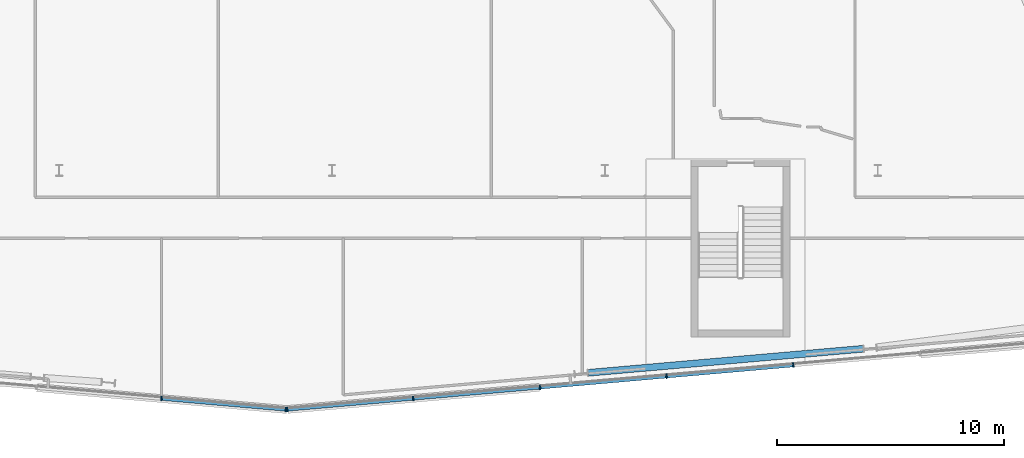
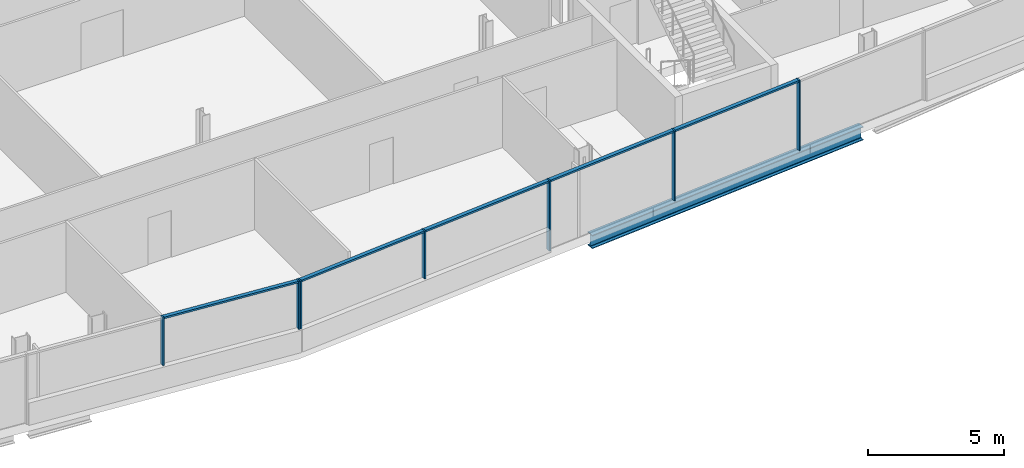
# One storey, part 8 of 24: 12 members, 1 beam, 2 elements without a shape of their own.
"""IFC4 building model written with IfcOpenShell, lengths in metres."""

import ifcopenshell
import ifcopenshell.guid

model = None  # the IFC model being written
_history = None  # IfcOwnerHistory: only IFC2X3 demands one
_inside = {}  # id of a spatial element -> (the spatial element, [elements in it])
_under = {}  # id of a project, library or spatial element -> (it, [spatial elements below it])
_declared = {}  # id of a project -> (the project, [libraries it declares])
_typed = {}  # id of a type object -> (the type object, [elements of that type])
_made_of = {}  # id of a material, layer set ... -> (it, [elements and type objects made of it])


def new_model(schema):
    """Start an empty IFC model of exactly this schema.

    Asked for "IFC4X3", IfcOpenShell would pick the latest addendum, in which some entities
    have other attributes; the version numbers below select the first issue.
    IFC2X3 requires an IfcOwnerHistory on every rooted entity: one is made here for all.
    """
    global model, _history
    if schema == "IFC4X3":
        model = ifcopenshell.file(schema_version=(4, 3, 0, 0))
    else:
        model = ifcopenshell.file(schema=schema)
    _inside.clear()
    _under.clear()
    _declared.clear()
    _typed.clear()
    _made_of.clear()
    _history = None
    if model.schema == "IFC2X3":
        org = make("IfcOrganization", Name="unknown")
        user = make(
            "IfcPersonAndOrganization",
            ThePerson=make("IfcPerson", FamilyName="unknown"),
            TheOrganization=org,
        )
        app = make(
            "IfcApplication",
            ApplicationDeveloper=org,
            Version="unknown",
            ApplicationFullName="unknown",
            ApplicationIdentifier="unknown",
        )
        _history = make(
            "IfcOwnerHistory",
            OwningUser=user,
            OwningApplication=app,
            ChangeAction="ADDED",
            CreationDate=0,
        )
    return model


def make(cls, **values):
    """One entity of the class cls with the attributes given. An attribute that is None is left unset."""
    return model.create_entity(
        cls, **{name: value for name, value in values.items() if value is not None}
    )


def rooted(cls, **values):
    """An entity with a GlobalId (a new one), such as an element, a storey or a relation."""
    return make(cls, GlobalId=ifcopenshell.guid.new(), OwnerHistory=_history, **values)


def si_unit(unit_type, name, prefix=None):
    """IfcSIUnit, for example si_unit("LENGTHUNIT", "METRE", prefix="MILLI")."""
    return make("IfcSIUnit", UnitType=unit_type, Prefix=prefix, Name=name)


def assignment(units):
    """IfcUnitAssignment: the units of a project."""
    return None if units is None else make("IfcUnitAssignment", Units=units)


def point(xyz):
    """IfcCartesianPoint."""
    return None if xyz is None else make("IfcCartesianPoint", Coordinates=xyz)


def direction(xyz):
    """IfcDirection."""
    return None if xyz is None else make("IfcDirection", DirectionRatios=xyz)


def frame(location, z_axis=None, x_axis=None):
    """IfcAxis2Placement3D, a coordinate frame: its origin and axes. An axis left out is left unset."""
    return make(
        "IfcAxis2Placement3D",
        Location=point(location),
        Axis=direction(z_axis),
        RefDirection=direction(x_axis),
    )


def frame_2d(location, x_axis=None):
    """IfcAxis2Placement2D, a coordinate frame in the plane: its origin and x axis."""
    return make(
        "IfcAxis2Placement2D", Location=point(location), RefDirection=direction(x_axis)
    )


def origin():
    """The frame at (0, 0, 0) with its axes left unset."""
    return frame((0.0, 0.0, 0.0))


def origin_2d():
    """The frame at (0, 0) in the plane with its x axis left unset."""
    return frame_2d((0.0, 0.0))


def place(relative_to, where):
    """IfcLocalPlacement: puts the frame where relative to a parent placement (None: the world)."""
    return make(
        "IfcLocalPlacement", PlacementRelTo=relative_to, RelativePlacement=where
    )


def context(
    kind, dimensions, precision=None, world=None, true_north=None, identifier=None
):
    """IfcGeometricRepresentationContext, for example the 3D "Model" context."""
    return make(
        "IfcGeometricRepresentationContext",
        ContextIdentifier=identifier,
        ContextType=kind,
        CoordinateSpaceDimension=dimensions,
        Precision=precision,
        WorldCoordinateSystem=world,
        TrueNorth=true_north,
    )


def subcontext(parent, identifier, kind, view, scale=None):
    """IfcGeometricRepresentationSubContext, for example "Body" below "Model"."""
    return make(
        "IfcGeometricRepresentationSubContext",
        ContextIdentifier=identifier,
        ContextType=kind,
        ParentContext=parent,
        TargetScale=scale,
        TargetView=view,
    )


def project(units=None, contexts=None):
    """IfcProject with its units and contexts."""
    return rooted(
        "IfcProject",
        Name="project",
        RepresentationContexts=contexts,
        UnitsInContext=assignment(units),
    )


def spatial(cls, under=None, at=None, **own):
    """A site, building, storey or space (cls), placed at a placement, below another one or the project."""
    s = rooted(cls, ObjectPlacement=at, **own)
    if under is not None:
        _under.setdefault(under.id(), (under, []))[1].append(s)
    return s


def profile(cls, at=None, kind="AREA", **sizes):
    """A parametric profile (cls). Its sizes go by their IFC names, for example OverallWidth=200.0."""
    return make(cls, ProfileType=kind, Position=at, **sizes)


def rectangle(**sizes):
    """IfcRectangleProfileDef."""
    return profile("IfcRectangleProfileDef", **sizes)


def i_section(**sizes):
    """IfcIShapeProfileDef."""
    return profile("IfcIShapeProfileDef", **sizes)


def extrude(swept, where, along, depth):
    """IfcExtrudedAreaSolid: the profile swept, set in the frame where, extruded along a direction by depth."""
    return make(
        "IfcExtrudedAreaSolid",
        SweptArea=swept,
        Position=where,
        ExtrudedDirection=direction(along),
        Depth=depth,
    )


def shape(context_of_items, identifier, shape_type, items):
    """IfcShapeRepresentation: the items that make up one representation, for example the "Body"."""
    return make(
        "IfcShapeRepresentation",
        ContextOfItems=context_of_items,
        RepresentationIdentifier=identifier,
        RepresentationType=shape_type,
        Items=items,
    )


def material(Name=None, Category=None):
    """IfcMaterial."""
    return make("IfcMaterial", Name=Name, Category=Category)


def material_profile(
    of_material, cross_section, Name=None, Category=None, Priority=None
):
    """IfcMaterialProfile: a cross section and its material."""
    return make(
        "IfcMaterialProfile",
        Name=Name,
        Material=of_material,
        Profile=cross_section,
        Priority=Priority,
        Category=Category,
    )


def profile_set(profiles, Name=None, composite=None):
    """IfcMaterialProfileSet."""
    return make(
        "IfcMaterialProfileSet",
        Name=Name,
        MaterialProfiles=profiles,
        CompositeProfile=composite,
    )


def made_of(thing, what):
    """Note that an element or type object is made of a material, layer set ...; save() writes the relation."""
    if what is not None:
        _made_of.setdefault(what.id(), (what, []))[1].append(thing)
    return thing


def type_object(cls, material=None, **own):
    """A type object (cls), such as IfcWallType, which elements share."""
    return made_of(rooted(cls, **own), material)


def element(
    cls,
    number,
    at=None,
    inside=None,
    cuts=None,
    type_object=None,
    material=None,
    context=None,
    identifier="Body",
    shape_type=None,
    held_by="IfcProductDefinitionShape",
    body=None,
    shapes=None,
    **own,
):
    """One element of the class cls, such as IfcWall. Its Tag is "e" and its number.

    at: its placement. inside: the storey or other place that contains it. cuts: it is an
    opening in that element (IfcRelVoidsElement). A single representation is given by context,
    identifier, shape_type and body (its items); several are given by shapes. held_by: the class
    of the entity that holds the representations. save() writes the other relations.
    """
    e = rooted(cls, Tag="e%d" % number, ObjectPlacement=at, **own)
    if body is not None:
        shapes = [shape(context, identifier, shape_type, body)]
    if shapes is not None:
        e.Representation = make(held_by, Representations=shapes)
    if inside is not None:
        _inside.setdefault(inside.id(), (inside, []))[1].append(e)
    if cuts is not None:
        rooted(
            "IfcRelVoidsElement", RelatingBuildingElement=cuts, RelatedOpeningElement=e
        )
    if type_object is not None:
        _typed.setdefault(type_object.id(), (type_object, []))[1].append(e)
    return made_of(e, material)


def aggregate(whole, parts):
    """IfcRelAggregates: a whole, such as a stair, and the parts it consists of."""
    return rooted("IfcRelAggregates", RelatingObject=whole, RelatedObjects=parts)


def save(model, path):
    """Write the relations noted so far, then the file.

    IfcRelAggregates (storeys below a building ...), IfcRelContainedInSpatialStructure (elements
    in a storey), IfcRelDefinesByType, IfcRelAssociatesMaterial and IfcRelDeclares: one each for
    every whole, place, type object, material and project.
    """
    for whole, parts in _under.values():
        aggregate(whole, parts)
    for where, things in _inside.values():
        rooted(
            "IfcRelContainedInSpatialStructure",
            RelatedElements=things,
            RelatingStructure=where,
        )
    for kind, things in _typed.values():
        rooted("IfcRelDefinesByType", RelatedObjects=things, RelatingType=kind)
    for what, things in _made_of.values():
        rooted("IfcRelAssociatesMaterial", RelatedObjects=things, RelatingMaterial=what)
    for by, libraries in _declared.values():
        rooted("IfcRelDeclares", RelatingContext=by, RelatedDefinitions=libraries)
    model.write(path)


model = new_model("IFC4")

# Units and contexts
model_context = context("Model", 3, precision=1e-05, world=origin(), true_north=direction((0.0, 1.0)))
body_context = subcontext(model_context, "Body", "Model", "MODEL_VIEW")
ifc_project = project(units=[si_unit("LENGTHUNIT", "METRE"), si_unit("AREAUNIT", "SQUARE_METRE"), si_unit("VOLUMEUNIT", "CUBIC_METRE"), si_unit("PLANEANGLEUNIT", "RADIAN"), si_unit("MASSUNIT", "GRAM", prefix="KILO")], contexts=[model_context])

# Site, building, storey
site_placement = place(None, origin())
site = spatial("IfcSite", under=ifc_project, at=site_placement, CompositionType="ELEMENT")
building_placement = place(site_placement, origin())
building = spatial("IfcBuilding", under=site, at=building_placement, Name="Wharfspan Tower", CompositionType="ELEMENT")
storey_placement = place(building_placement, frame((0.0, 0.0, 198.699951)))
storey = spatial("IfcBuildingStorey", under=building, at=storey_placement, Name="L49", CompositionType="ELEMENT", Elevation=198.699951)

# Beam
ifc_material_1 = material(Name="Steel S355J2", Category="steel")
ifc_material_profile_1 = material_profile(ifc_material_1, i_section(OverallWidth=0.300049, OverallDepth=0.600098, WebThickness=0.015381, FlangeThickness=0.030029, FilletRadius=0.0271, at=origin_2d()))
ifc_profile_set_1 = profile_set([ifc_material_profile_1], Name="Steel S355J2")
beam_type = type_object("IfcBeamType", Name="Edge beam HEB 600", PredefinedType="SPANDREL", material=ifc_profile_set_1)
beam_placement = place(storey_placement, frame((59.265625, 2.600342, -0.699951), z_axis=(0.996195, 0.087155, 0.0), x_axis=(-0.087155, 0.996195, 0.0)))
element("IfcBeam", 1, at=beam_placement, inside=storey, type_object=beam_type, Name="Edge beam S2 L49 PS2.1 to PS2.2", PredefinedType="SPANDREL", context=body_context, shape_type="SweptSolid", body=[
    extrude(i_section(OverallWidth=0.300049, OverallDepth=0.600098, WebThickness=0.015381, FlangeThickness=0.030029, FilletRadius=0.0271, at=origin_2d()), origin(), (0.0, 0.0, 1.0), 12.137695),
])

# Curtain wall, members
ifc_material_2 = material(Name="Aluminium 6063-T6", Category="aluminium")
curtain_wall_type = type_object("IfcCurtainWallType", Name="CURTAIN WALL FACETED FRONT", PredefinedType="NOTDEFINED", material=ifc_material_2)
curtain_wall_1_placement = place(storey_placement, origin())
curtain_wall_1 = element("IfcCurtainWall", 2, at=curtain_wall_1_placement, inside=storey, type_object=curtain_wall_type, Name="Curtain wall S1", PredefinedType="NOTDEFINED")
ifc_material_profile_2 = material_profile(ifc_material_2, rectangle(XDim=0.199951, YDim=0.060059, at=origin_2d()))
ifc_profile_set_2 = profile_set([ifc_material_profile_2], Name="Aluminium 6063-T6")
member_type_1 = type_object("IfcMemberType", Name="MULLION FACETED FRONT 60x200", PredefinedType="MULLION", material=ifc_profile_set_2)
member_1_placement = place(storey_placement, frame((40.5, 1.469238, 1.0), z_axis=(0.0, 0.0, 1.0), x_axis=(0.087156, 0.996198, 0.0)))
member_1 = element("IfcMember", 3, at=member_1_placement, type_object=member_type_1, Name="Curtain wall S1 mullion 6", PredefinedType="MULLION", context=body_context, shape_type="SweptSolid", body=[
    extrude(rectangle(XDim=0.199951, YDim=0.060059, at=origin_2d()), origin(), (0.0, 0.0, 1.0), 2.150146),
])
member_2_placement = place(storey_placement, frame((45.970215, 0.990479, 1.0), z_axis=(0.0, 0.0, 1.0), x_axis=(0.087156, 0.996198, 0.0)))
member_2 = element("IfcMember", 4, at=member_2_placement, type_object=member_type_1, Name="Curtain wall S1 mullion 7", PredefinedType="MULLION", context=body_context, shape_type="SweptSolid", body=[
    extrude(rectangle(XDim=0.199951, YDim=0.060059, at=origin_2d()), origin(), (0.0, 0.0, 1.0), 2.150146),
])

curtain_wall_2_placement = place(storey_placement, origin())
curtain_wall_2 = element("IfcCurtainWall", 5, at=curtain_wall_2_placement, inside=storey, type_object=curtain_wall_type, Name="Curtain wall S2", PredefinedType="NOTDEFINED")
member_3_placement = place(storey_placement, frame((46.029785, 0.990479, 1.0), z_axis=(0.0, 0.0, 1.0), x_axis=(-0.087156, 0.996198, 0.0)))
member_3 = element("IfcMember", 6, at=member_3_placement, type_object=member_type_1, Name="Curtain wall S2 mullion 1", PredefinedType="MULLION", context=body_context, shape_type="SweptSolid", body=[
    extrude(rectangle(XDim=0.199951, YDim=0.060059, at=origin_2d()), origin(), (0.0, 0.0, 1.0), 2.150146),
])
member_4_placement = place(storey_placement, frame((51.571533, 1.475342, 1.0), z_axis=(0.0, 0.0, 1.0), x_axis=(-0.087156, 0.996198, 0.0)))
member_4 = element("IfcMember", 7, at=member_4_placement, type_object=member_type_1, Name="Curtain wall S2 mullion 2", PredefinedType="MULLION", context=body_context, shape_type="SweptSolid", body=[
    extrude(rectangle(XDim=0.199951, YDim=0.060059, at=origin_2d()), origin(), (0.0, 0.0, 1.0), 2.150146),
])
member_5_placement = place(storey_placement, frame((57.142822, 1.962891, 0.0), z_axis=(0.0, 0.0, 1.0), x_axis=(-0.087156, 0.996198, 0.0)))
member_5 = element("IfcMember", 8, at=member_5_placement, type_object=member_type_1, Name="Curtain wall S2 mullion 3", PredefinedType="MULLION", context=body_context, shape_type="SweptSolid", body=[
    extrude(rectangle(XDim=0.199951, YDim=0.060059, at=origin_2d()), origin(), (0.0, 0.0, 1.0), 3.150146),
])
member_6_placement = place(storey_placement, frame((62.714355, 2.450195, 0.0), z_axis=(0.0, 0.0, 1.0), x_axis=(-0.087156, 0.996198, 0.0)))
member_6 = element("IfcMember", 9, at=member_6_placement, type_object=member_type_1, Name="Curtain wall S2 mullion 4", PredefinedType="MULLION", context=body_context, shape_type="SweptSolid", body=[
    extrude(rectangle(XDim=0.199951, YDim=0.060059, at=origin_2d()), origin(), (0.0, 0.0, 1.0), 3.150146),
])
member_7_placement = place(storey_placement, frame((68.285645, 2.937744, 0.0), z_axis=(0.0, 0.0, 1.0), x_axis=(-0.087156, 0.996198, 0.0)))
member_7 = element("IfcMember", 10, at=member_7_placement, type_object=member_type_1, Name="Curtain wall S2 mullion 5", PredefinedType="MULLION", context=body_context, shape_type="SweptSolid", body=[
    extrude(rectangle(XDim=0.199951, YDim=0.060059, at=origin_2d()), origin(), (0.0, 0.0, 1.0), 3.150146),
])

# Member
ifc_material_profile_3 = material_profile(ifc_material_2, rectangle(XDim=0.159912, YDim=0.080078, at=origin_2d()))
ifc_profile_set_3 = profile_set([ifc_material_profile_3], Name="Aluminium 6063-T6")
member_type_2 = type_object("IfcMemberType", Name="TRANSOM FACETED FRONT 80x160", PredefinedType="USERDEFINED", material=ifc_profile_set_3)
member_8_placement = place(storey_placement, frame((40.529785, 1.466553, 3.110107), z_axis=(0.996194, -0.087163, 0.0), x_axis=(0.087163, 0.996194, 0.0)))
member_8 = element("IfcMember", 11, at=member_8_placement, type_object=member_type_2, Name="Curtain wall S1 transom 6", ObjectType="TRANSOM", PredefinedType="USERDEFINED", context=body_context, shape_type="SweptSolid", body=[
    extrude(rectangle(XDim=0.159912, YDim=0.080078, at=origin_2d()), origin(), (0.0, 0.0, 1.0), 5.431152),
])

aggregate(curtain_wall_1, [member_1, member_2, member_8])

member_9_placement = place(storey_placement, frame((46.059814, 0.993164, 3.110107), z_axis=(0.996196, 0.087139, 0.0), x_axis=(-0.087139, 0.996196, 0.0)))
member_9 = element("IfcMember", 12, at=member_9_placement, type_object=member_type_2, Name="Curtain wall S2 transom 1", ObjectType="TRANSOM", PredefinedType="USERDEFINED", context=body_context, shape_type="SweptSolid", body=[
    extrude(rectangle(XDim=0.159912, YDim=0.080078, at=origin_2d()), origin(), (0.0, 0.0, 1.0), 5.502686),
])

member_10_placement = place(storey_placement, frame((51.601318, 1.478027, 3.110107), z_axis=(0.996195, 0.087149, 0.0), x_axis=(-0.087149, 0.996195, 0.0)))
member_10 = element("IfcMember", 13, at=member_10_placement, type_object=member_type_2, Name="Curtain wall S2 transom 2", ObjectType="TRANSOM", PredefinedType="USERDEFINED", context=body_context, shape_type="SweptSolid", body=[
    extrude(rectangle(XDim=0.159912, YDim=0.080078, at=origin_2d()), origin(), (0.0, 0.0, 1.0), 5.532715),
])

member_11_placement = place(storey_placement, frame((57.172852, 1.965332, 3.110107), z_axis=(0.996191, 0.087197, 0.0), x_axis=(-0.087197, 0.996191, 0.0)))
member_11 = element("IfcMember", 14, at=member_11_placement, type_object=member_type_2, Name="Curtain wall S2 transom 3", ObjectType="TRANSOM", PredefinedType="USERDEFINED", context=body_context, shape_type="SweptSolid", body=[
    extrude(rectangle(XDim=0.159912, YDim=0.080078, at=origin_2d()), origin(), (0.0, 0.0, 1.0), 5.532471),
])

member_12_placement = place(storey_placement, frame((62.744141, 2.452881, 3.110107), z_axis=(0.996195, 0.087149, 0.0), x_axis=(-0.087149, 0.996195, 0.0)))
member_12 = element("IfcMember", 15, at=member_12_placement, type_object=member_type_2, Name="Curtain wall S2 transom 4", ObjectType="TRANSOM", PredefinedType="USERDEFINED", context=body_context, shape_type="SweptSolid", body=[
    extrude(rectangle(XDim=0.159912, YDim=0.080078, at=origin_2d()), origin(), (0.0, 0.0, 1.0), 5.532715),
])

aggregate(curtain_wall_2, [member_3, member_4, member_5, member_6, member_7, member_9, member_10, member_11, member_12])

save(model, "model.ifc")
